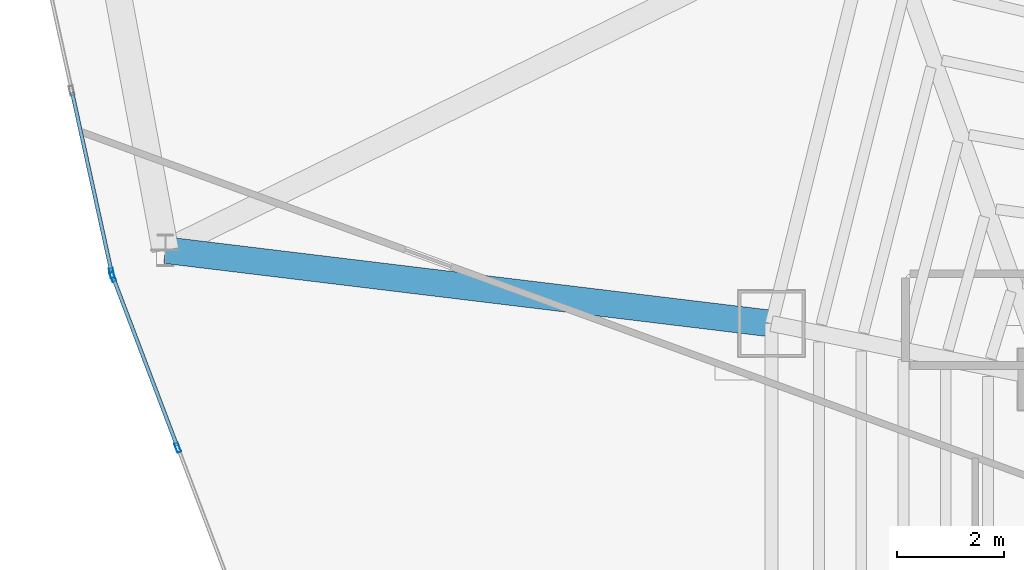
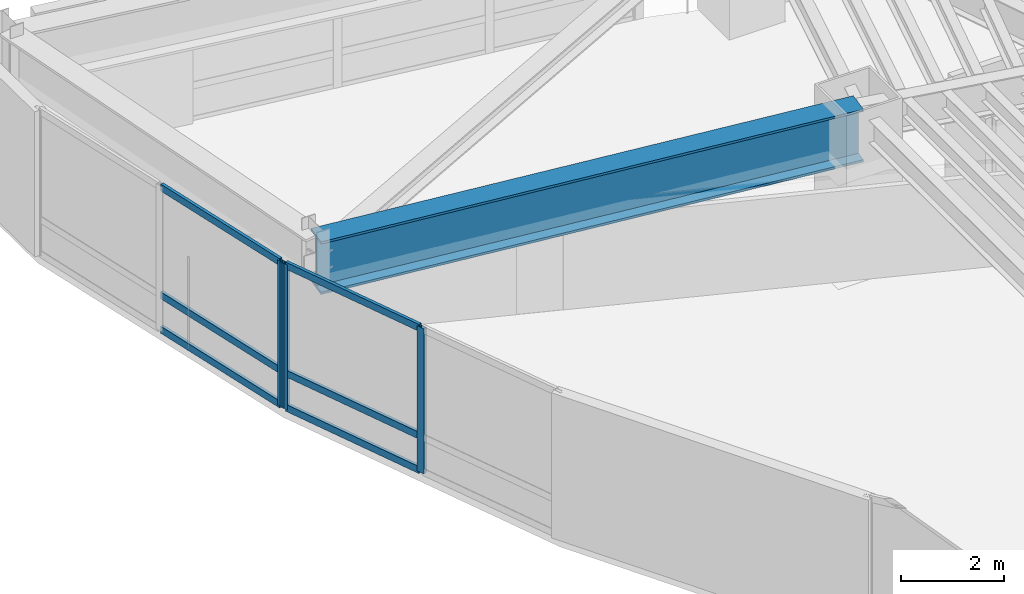
# One storey, part 8 of 25: 9 members, 1 beam, 2 elements without a shape of their own.
"""IFC4 building model written with IfcOpenShell, lengths in metres."""

from ifc_helpers import new_model, si_unit, direction, frame, origin, origin_2d, place, context, subcontext, project, spatial, hollow_rectangle, i_section, extrude, material, layer, layer_set, material_profile, profile_set, type_object, element, aggregate, save


model = new_model("IFC4")

# Units and contexts
model_context = context("Model", 3, precision=1e-05, world=origin(), true_north=direction((0.0, 1.0)))
body_context = subcontext(model_context, "Body", "Model", "MODEL_VIEW")
ifc_project = project(units=[si_unit("LENGTHUNIT", "METRE"), si_unit("AREAUNIT", "SQUARE_METRE"), si_unit("VOLUMEUNIT", "CUBIC_METRE"), si_unit("PLANEANGLEUNIT", "RADIAN"), si_unit("MASSUNIT", "GRAM", prefix="KILO")], contexts=[model_context])

# Site, building, storey
site_placement = place(None, origin())
site = spatial("IfcSite", under=ifc_project, at=site_placement, CompositionType="ELEMENT")
building_placement = place(site_placement, origin())
building = spatial("IfcBuilding", under=site, at=building_placement, Name="Menara Vayukalpa", CompositionType="ELEMENT")
storey_placement = place(building_placement, frame((0.0, 0.0, 115.139892578125)))
storey = spatial("IfcBuildingStorey", under=building, at=storey_placement, Name="L28", CompositionType="ELEMENT", Elevation=115.139892578125)

# Beam
ifc_material_1 = material(Name="Steel S460", Category="steel")
ifc_material_profile_1 = material_profile(ifc_material_1, i_section(OverallWidth=0.5, OverallDepth=1.25, WebThickness=0.028076171875, FlangeThickness=0.054931640625, at=origin_2d()), Name="WG 1250x500x28x55")
ifc_profile_set_1 = profile_set([ifc_material_profile_1], Name="Steel S460")
beam_type = type_object("IfcBeamType", Name="BM-TG2", PredefinedType="BEAM", material=ifc_profile_set_1)
beam_placement = place(storey_placement, frame((12.606689453125, 27.845703125, 2.815185546875), z_axis=(-0.992737332151, 0.120302075433, 0.0), x_axis=(-0.120302075433, -0.992737332151, 0.0)))
element("IfcBeam", 1, at=beam_placement, inside=storey, type_object=beam_type, Name="L28 SB2 Sky Bar Vierendeel Girder 05", PredefinedType="BEAM", context=body_context, shape_type="SweptSolid", body=[
    extrude(i_section(OverallWidth=0.5, OverallDepth=1.25, WebThickness=0.028076171875, FlangeThickness=0.054931640625, at=origin_2d()), origin(), (0.0, 0.0, 1.0), 11.449951171875),
])

# Curtain wall, member
ifc_material_2 = material(Name="Anodised Terracotta Aluminium Alloy 6063-T6", Category="masonry")
ifc_layer = layer(ifc_material_2, 0.179931640625)
ifc_layer_set = layer_set([ifc_layer], Name="Anodised Terracotta Aluminium Alloy 6063-T6")
curtain_wall_type = type_object("IfcCurtainWallType", Name="CW-CW4", PredefinedType="USERDEFINED", material=ifc_layer_set)
curtain_wall_1_placement = place(storey_placement, origin())
curtain_wall_1 = element("IfcCurtainWall", 2, at=curtain_wall_1_placement, inside=storey, type_object=curtain_wall_type, Name="L28 Sky Bar Cantilever Glazed Curtain Wall CW4 10", ObjectType="UNITISED", PredefinedType="USERDEFINED")
ifc_material_3 = material(Name="Anodised Terracotta Aluminium Alloy 6063-T6", Category="masonry")
ifc_material_profile_2 = material_profile(ifc_material_3, hollow_rectangle(XDim=0.074951171875, YDim=0.179931640625, WallThickness=0.00390625, at=origin_2d()), Name="ALU 75x180x4")
ifc_profile_set_2 = profile_set([ifc_material_profile_2], Name="Anodised Terracotta Aluminium Alloy 6063-T6")
member_type_1 = type_object("IfcMemberType", Name="CWM-CW4", PredefinedType="MULLION", material=ifc_profile_set_2)
member_1_placement = place(storey_placement, frame((0.2353515625, 28.793701171875, 0.0), z_axis=(0.0, 0.0, 1.0), x_axis=(0.976721757533, 0.214510159112, 0.0)))
member_1 = element("IfcMember", 3, at=member_1_placement, type_object=member_type_1, Name="CW4 mullion 3", PredefinedType="MULLION", context=body_context, shape_type="SweptSolid", body=[
    extrude(hollow_rectangle(XDim=0.074951171875, YDim=0.179931640625, WallThickness=0.00390625, at=origin_2d()), origin(), (0.0, 0.0, 1.0), 3.440185546875),
])

# Curtain wall, members
curtain_wall_2_placement = place(storey_placement, origin())
curtain_wall_2 = element("IfcCurtainWall", 4, at=curtain_wall_2_placement, inside=storey, type_object=curtain_wall_type, Name="L28 Sky Bar Cantilever Glazed Curtain Wall CW4 11", ObjectType="UNITISED", PredefinedType="USERDEFINED")
member_2_placement = place(storey_placement, frame((0.2568359375, 28.721923828125, 0.0), z_axis=(0.0, 0.0, 1.0), x_axis=(0.934964177732, 0.354742140657, 0.0)))
member_2 = element("IfcMember", 5, at=member_2_placement, type_object=member_type_1, Name="CW4 mullion 1", PredefinedType="MULLION", context=body_context, shape_type="SweptSolid", body=[
    extrude(hollow_rectangle(XDim=0.074951171875, YDim=0.179931640625, WallThickness=0.00390625, at=origin_2d()), origin(), (0.0, 0.0, 1.0), 3.440185546875),
])
member_3_placement = place(storey_placement, frame((1.47216796875, 25.518798828125, 0.0), z_axis=(0.0, 0.0, 1.0), x_axis=(0.934964177732, 0.354742140657, 0.0)))
member_3 = element("IfcMember", 6, at=member_3_placement, type_object=member_type_1, Name="CW4 mullion 2", PredefinedType="MULLION", context=body_context, shape_type="SweptSolid", body=[
    extrude(hollow_rectangle(XDim=0.074951171875, YDim=0.179931640625, WallThickness=0.00390625, at=origin_2d()), origin(), (0.0, 0.0, 1.0), 3.440185546875),
])

# Member
ifc_material_4 = material(Name="Anodised Terracotta Aluminium Alloy 6063-T6", Category="masonry")
ifc_material_profile_3 = material_profile(ifc_material_4, hollow_rectangle(XDim=0.070068359375, YDim=0.1650390625, WallThickness=0.00390625, at=origin_2d()), Name="ALU 70x165x4")
ifc_profile_set_3 = profile_set([ifc_material_profile_3], Name="Anodised Terracotta Aluminium Alloy 6063-T6")
member_type_2 = type_object("IfcMemberType", Name="CWT-CW4", PredefinedType="USERDEFINED", material=ifc_profile_set_3)
member_4_placement = place(storey_placement, frame((-0.5078125, 32.17822265625, 0.03515625), z_axis=(0.214463645248, -0.976731971867, 0.0), x_axis=(0.976731971867, 0.214463645248, 0.0)))
member_4 = element("IfcMember", 7, at=member_4_placement, type_object=member_type_2, Name="CW4 transom 2.1", ObjectType="TRANSOM", PredefinedType="USERDEFINED", context=body_context, shape_type="SweptSolid", body=[
    extrude(hollow_rectangle(XDim=0.070068359375, YDim=0.1650390625, WallThickness=0.00390625, at=origin_2d()), origin(), (0.0, 0.0, 1.0), 3.427734375),
])

member_5_placement = place(storey_placement, frame((-0.5078125, 32.17822265625, 0.85009765625), z_axis=(0.214463645248, -0.976731971867, 0.0), x_axis=(0.976731971867, 0.214463645248, 0.0)))
member_5 = element("IfcMember", 8, at=member_5_placement, type_object=member_type_2, Name="CW4 transom 2.2", ObjectType="TRANSOM", PredefinedType="USERDEFINED", context=body_context, shape_type="SweptSolid", body=[
    extrude(hollow_rectangle(XDim=0.070068359375, YDim=0.1650390625, WallThickness=0.00390625, at=origin_2d()), origin(), (0.0, 0.0, 1.0), 3.427734375),
])

member_6_placement = place(storey_placement, frame((-0.5078125, 32.17822265625, 3.405029296875), z_axis=(0.214463645248, -0.976731971867, 0.0), x_axis=(0.976731971867, 0.214463645248, 0.0)))
member_6 = element("IfcMember", 9, at=member_6_placement, type_object=member_type_2, Name="CW4 transom 2.3", ObjectType="TRANSOM", PredefinedType="USERDEFINED", context=body_context, shape_type="SweptSolid", body=[
    extrude(hollow_rectangle(XDim=0.070068359375, YDim=0.1650390625, WallThickness=0.00390625, at=origin_2d()), origin(), (0.0, 0.0, 1.0), 3.427734375),
])

aggregate(curtain_wall_1, [member_1, member_4, member_5, member_6])

member_7_placement = place(storey_placement, frame((0.27001953125, 28.68701171875, 0.03515625), z_axis=(0.354737691882, -0.934965865665, 0.0), x_axis=(0.934965865665, 0.354737691882, 0.0)))
member_7 = element("IfcMember", 10, at=member_7_placement, type_object=member_type_2, Name="CW4 transom 1.1", ObjectType="TRANSOM", PredefinedType="USERDEFINED", context=body_context, shape_type="SweptSolid", body=[
    extrude(hollow_rectangle(XDim=0.070068359375, YDim=0.1650390625, WallThickness=0.00390625, at=origin_2d()), origin(), (0.0, 0.0, 1.0), 3.35107421875),
])

member_8_placement = place(storey_placement, frame((0.27001953125, 28.68701171875, 0.85009765625), z_axis=(0.354737691882, -0.934965865665, 0.0), x_axis=(0.934965865665, 0.354737691882, 0.0)))
member_8 = element("IfcMember", 11, at=member_8_placement, type_object=member_type_2, Name="CW4 transom 1.2", ObjectType="TRANSOM", PredefinedType="USERDEFINED", context=body_context, shape_type="SweptSolid", body=[
    extrude(hollow_rectangle(XDim=0.070068359375, YDim=0.1650390625, WallThickness=0.00390625, at=origin_2d()), origin(), (0.0, 0.0, 1.0), 3.35107421875),
])

member_9_placement = place(storey_placement, frame((0.27001953125, 28.68701171875, 3.405029296875), z_axis=(0.354737691882, -0.934965865665, 0.0), x_axis=(0.934965865665, 0.354737691882, 0.0)))
member_9 = element("IfcMember", 12, at=member_9_placement, type_object=member_type_2, Name="CW4 transom 1.3", ObjectType="TRANSOM", PredefinedType="USERDEFINED", context=body_context, shape_type="SweptSolid", body=[
    extrude(hollow_rectangle(XDim=0.070068359375, YDim=0.1650390625, WallThickness=0.00390625, at=origin_2d()), origin(), (0.0, 0.0, 1.0), 3.35107421875),
])

aggregate(curtain_wall_2, [member_2, member_3, member_7, member_8, member_9])

save(model, "model.ifc")
